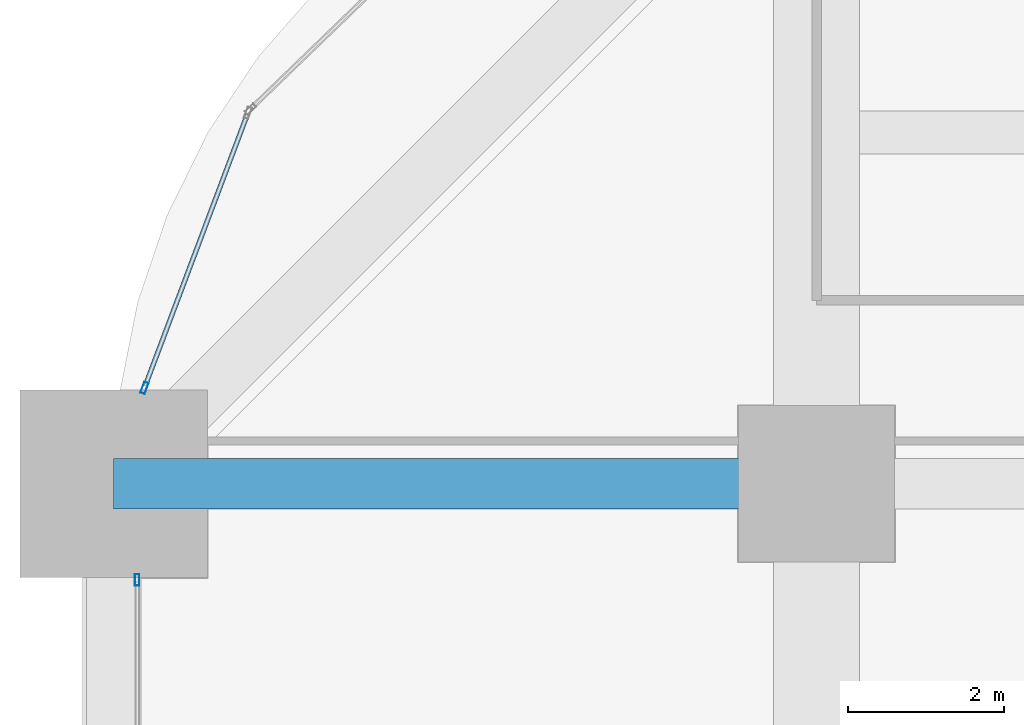
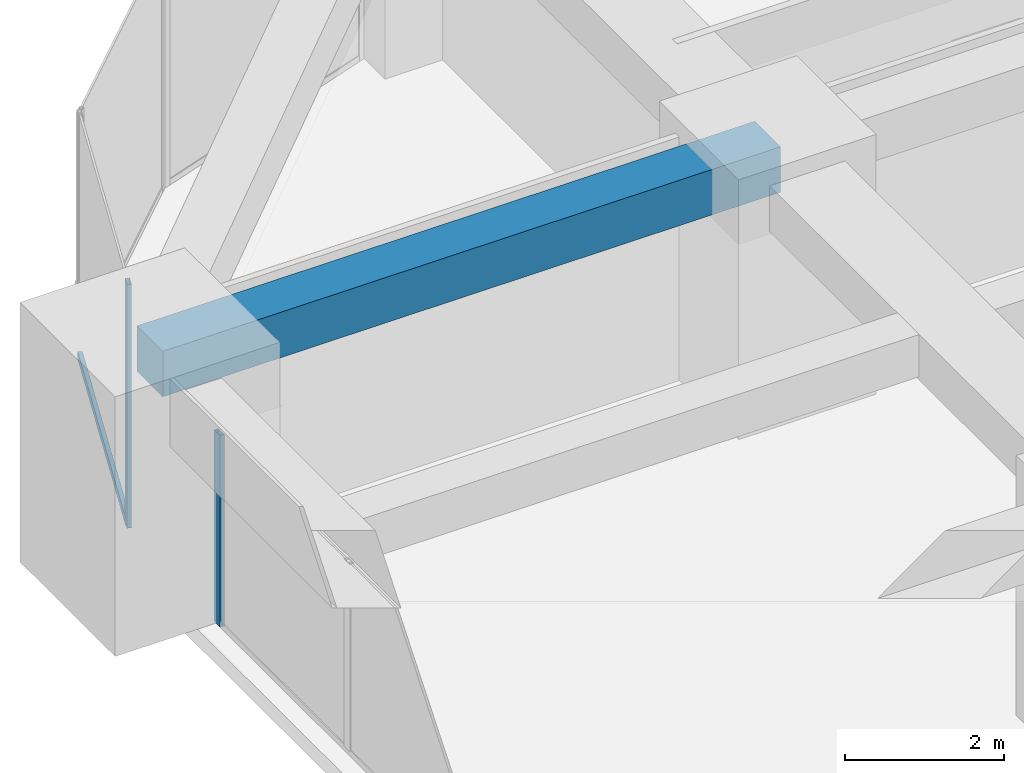
# One storey, part 24 of 41: 3 members, 1 beam, 2 elements without a shape of their own.
"""IFC4 building model written with IfcOpenShell, lengths in metres."""

import ifcopenshell
import ifcopenshell.guid

model = None  # the IFC model being written
_history = None  # IfcOwnerHistory: only IFC2X3 demands one
_inside = {}  # id of a spatial element -> (the spatial element, [elements in it])
_under = {}  # id of a project, library or spatial element -> (it, [spatial elements below it])
_declared = {}  # id of a project -> (the project, [libraries it declares])
_typed = {}  # id of a type object -> (the type object, [elements of that type])
_made_of = {}  # id of a material, layer set ... -> (it, [elements and type objects made of it])


def new_model(schema):
    """Start an empty IFC model of exactly this schema.

    Asked for "IFC4X3", IfcOpenShell would pick the latest addendum, in which some entities
    have other attributes; the version numbers below select the first issue.
    IFC2X3 requires an IfcOwnerHistory on every rooted entity: one is made here for all.
    """
    global model, _history
    if schema == "IFC4X3":
        model = ifcopenshell.file(schema_version=(4, 3, 0, 0))
    else:
        model = ifcopenshell.file(schema=schema)
    _inside.clear()
    _under.clear()
    _declared.clear()
    _typed.clear()
    _made_of.clear()
    _history = None
    if model.schema == "IFC2X3":
        org = make("IfcOrganization", Name="unknown")
        user = make(
            "IfcPersonAndOrganization",
            ThePerson=make("IfcPerson", FamilyName="unknown"),
            TheOrganization=org,
        )
        app = make(
            "IfcApplication",
            ApplicationDeveloper=org,
            Version="unknown",
            ApplicationFullName="unknown",
            ApplicationIdentifier="unknown",
        )
        _history = make(
            "IfcOwnerHistory",
            OwningUser=user,
            OwningApplication=app,
            ChangeAction="ADDED",
            CreationDate=0,
        )
    return model


def make(cls, **values):
    """One entity of the class cls with the attributes given. An attribute that is None is left unset."""
    return model.create_entity(
        cls, **{name: value for name, value in values.items() if value is not None}
    )


def rooted(cls, **values):
    """An entity with a GlobalId (a new one), such as an element, a storey or a relation."""
    return make(cls, GlobalId=ifcopenshell.guid.new(), OwnerHistory=_history, **values)


def si_unit(unit_type, name, prefix=None):
    """IfcSIUnit, for example si_unit("LENGTHUNIT", "METRE", prefix="MILLI")."""
    return make("IfcSIUnit", UnitType=unit_type, Prefix=prefix, Name=name)


def assignment(units):
    """IfcUnitAssignment: the units of a project."""
    return None if units is None else make("IfcUnitAssignment", Units=units)


def point(xyz):
    """IfcCartesianPoint."""
    return None if xyz is None else make("IfcCartesianPoint", Coordinates=xyz)


def direction(xyz):
    """IfcDirection."""
    return None if xyz is None else make("IfcDirection", DirectionRatios=xyz)


def frame(location, z_axis=None, x_axis=None):
    """IfcAxis2Placement3D, a coordinate frame: its origin and axes. An axis left out is left unset."""
    return make(
        "IfcAxis2Placement3D",
        Location=point(location),
        Axis=direction(z_axis),
        RefDirection=direction(x_axis),
    )


def frame_2d(location, x_axis=None):
    """IfcAxis2Placement2D, a coordinate frame in the plane: its origin and x axis."""
    return make(
        "IfcAxis2Placement2D", Location=point(location), RefDirection=direction(x_axis)
    )


def origin():
    """The frame at (0, 0, 0) with its axes left unset."""
    return frame((0.0, 0.0, 0.0))


def origin_2d():
    """The frame at (0, 0) in the plane with its x axis left unset."""
    return frame_2d((0.0, 0.0))


def place(relative_to, where):
    """IfcLocalPlacement: puts the frame where relative to a parent placement (None: the world)."""
    return make(
        "IfcLocalPlacement", PlacementRelTo=relative_to, RelativePlacement=where
    )


def context(
    kind, dimensions, precision=None, world=None, true_north=None, identifier=None
):
    """IfcGeometricRepresentationContext, for example the 3D "Model" context."""
    return make(
        "IfcGeometricRepresentationContext",
        ContextIdentifier=identifier,
        ContextType=kind,
        CoordinateSpaceDimension=dimensions,
        Precision=precision,
        WorldCoordinateSystem=world,
        TrueNorth=true_north,
    )


def subcontext(parent, identifier, kind, view, scale=None):
    """IfcGeometricRepresentationSubContext, for example "Body" below "Model"."""
    return make(
        "IfcGeometricRepresentationSubContext",
        ContextIdentifier=identifier,
        ContextType=kind,
        ParentContext=parent,
        TargetScale=scale,
        TargetView=view,
    )


def project(units=None, contexts=None):
    """IfcProject with its units and contexts."""
    return rooted(
        "IfcProject",
        Name="project",
        RepresentationContexts=contexts,
        UnitsInContext=assignment(units),
    )


def spatial(cls, under=None, at=None, **own):
    """A site, building, storey or space (cls), placed at a placement, below another one or the project."""
    s = rooted(cls, ObjectPlacement=at, **own)
    if under is not None:
        _under.setdefault(under.id(), (under, []))[1].append(s)
    return s


def profile(cls, at=None, kind="AREA", **sizes):
    """A parametric profile (cls). Its sizes go by their IFC names, for example OverallWidth=200.0."""
    return make(cls, ProfileType=kind, Position=at, **sizes)


def rectangle(**sizes):
    """IfcRectangleProfileDef."""
    return profile("IfcRectangleProfileDef", **sizes)


def hollow_rectangle(**sizes):
    """IfcRectangleHollowProfileDef."""
    return profile("IfcRectangleHollowProfileDef", **sizes)


def extrude(swept, where, along, depth):
    """IfcExtrudedAreaSolid: the profile swept, set in the frame where, extruded along a direction by depth."""
    return make(
        "IfcExtrudedAreaSolid",
        SweptArea=swept,
        Position=where,
        ExtrudedDirection=direction(along),
        Depth=depth,
    )


def shape(context_of_items, identifier, shape_type, items):
    """IfcShapeRepresentation: the items that make up one representation, for example the "Body"."""
    return make(
        "IfcShapeRepresentation",
        ContextOfItems=context_of_items,
        RepresentationIdentifier=identifier,
        RepresentationType=shape_type,
        Items=items,
    )


def material(Name=None, Category=None):
    """IfcMaterial."""
    return make("IfcMaterial", Name=Name, Category=Category)


def material_profile(
    of_material, cross_section, Name=None, Category=None, Priority=None
):
    """IfcMaterialProfile: a cross section and its material."""
    return make(
        "IfcMaterialProfile",
        Name=Name,
        Material=of_material,
        Profile=cross_section,
        Priority=Priority,
        Category=Category,
    )


def profile_set(profiles, Name=None, composite=None):
    """IfcMaterialProfileSet."""
    return make(
        "IfcMaterialProfileSet",
        Name=Name,
        MaterialProfiles=profiles,
        CompositeProfile=composite,
    )


def made_of(thing, what):
    """Note that an element or type object is made of a material, layer set ...; save() writes the relation."""
    if what is not None:
        _made_of.setdefault(what.id(), (what, []))[1].append(thing)
    return thing


def type_object(cls, material=None, **own):
    """A type object (cls), such as IfcWallType, which elements share."""
    return made_of(rooted(cls, **own), material)


def element(
    cls,
    number,
    at=None,
    inside=None,
    cuts=None,
    type_object=None,
    material=None,
    context=None,
    identifier="Body",
    shape_type=None,
    held_by="IfcProductDefinitionShape",
    body=None,
    shapes=None,
    **own,
):
    """One element of the class cls, such as IfcWall. Its Tag is "e" and its number.

    at: its placement. inside: the storey or other place that contains it. cuts: it is an
    opening in that element (IfcRelVoidsElement). A single representation is given by context,
    identifier, shape_type and body (its items); several are given by shapes. held_by: the class
    of the entity that holds the representations. save() writes the other relations.
    """
    e = rooted(cls, Tag="e%d" % number, ObjectPlacement=at, **own)
    if body is not None:
        shapes = [shape(context, identifier, shape_type, body)]
    if shapes is not None:
        e.Representation = make(held_by, Representations=shapes)
    if inside is not None:
        _inside.setdefault(inside.id(), (inside, []))[1].append(e)
    if cuts is not None:
        rooted(
            "IfcRelVoidsElement", RelatingBuildingElement=cuts, RelatedOpeningElement=e
        )
    if type_object is not None:
        _typed.setdefault(type_object.id(), (type_object, []))[1].append(e)
    return made_of(e, material)


def aggregate(whole, parts):
    """IfcRelAggregates: a whole, such as a stair, and the parts it consists of."""
    return rooted("IfcRelAggregates", RelatingObject=whole, RelatedObjects=parts)


def save(model, path):
    """Write the relations noted so far, then the file.

    IfcRelAggregates (storeys below a building ...), IfcRelContainedInSpatialStructure (elements
    in a storey), IfcRelDefinesByType, IfcRelAssociatesMaterial and IfcRelDeclares: one each for
    every whole, place, type object, material and project.
    """
    for whole, parts in _under.values():
        aggregate(whole, parts)
    for where, things in _inside.values():
        rooted(
            "IfcRelContainedInSpatialStructure",
            RelatedElements=things,
            RelatingStructure=where,
        )
    for kind, things in _typed.values():
        rooted("IfcRelDefinesByType", RelatedObjects=things, RelatingType=kind)
    for what, things in _made_of.values():
        rooted("IfcRelAssociatesMaterial", RelatedObjects=things, RelatingMaterial=what)
    for by, libraries in _declared.values():
        rooted("IfcRelDeclares", RelatingContext=by, RelatedDefinitions=libraries)
    model.write(path)


model = new_model("IFC4")

# Units and contexts
model_context = context("Model", 3, precision=1e-05, world=origin(), true_north=direction((0.0, 1.0)))
body_context = subcontext(model_context, "Body", "Model", "MODEL_VIEW")
ifc_project = project(units=[si_unit("LENGTHUNIT", "METRE"), si_unit("AREAUNIT", "SQUARE_METRE"), si_unit("VOLUMEUNIT", "CUBIC_METRE"), si_unit("PLANEANGLEUNIT", "RADIAN"), si_unit("MASSUNIT", "GRAM", prefix="KILO")], contexts=[model_context])

# Site, building, storey
site_placement = place(None, origin())
site = spatial("IfcSite", under=ifc_project, at=site_placement, CompositionType="ELEMENT")
building_placement = place(site_placement, origin())
building = spatial("IfcBuilding", under=site, at=building_placement, Name="Zorevar Civic Tower", CompositionType="ELEMENT")
storey_placement = place(building_placement, frame((0.0, 0.0, 101.0)))
storey = spatial("IfcBuildingStorey", under=building, at=storey_placement, Name="L24", CompositionType="ELEMENT", Elevation=101.0)

# Beam
ifc_material_1 = material(Name="Concrete C50/60", Category="concrete")
ifc_material_profile_1 = material_profile(ifc_material_1, rectangle(XDim=0.64990234375, YDim=0.699951171875, at=origin_2d()), Name="RC 650x700")
ifc_profile_set_1 = profile_set([ifc_material_profile_1], Name="Concrete C50/60")
beam_type = type_object("IfcBeamType", Name="Beam RC 650x700", PredefinedType="BEAM", material=ifc_profile_set_1)
beam_placement = place(storey_placement, frame((0.0, 36.0, 3.39990234375), z_axis=(1.0, 0.0, 0.0), x_axis=(0.0, 1.0, 0.0)))
element("IfcBeam", 1, at=beam_placement, inside=storey, type_object=beam_type, Name="Girder L25", PredefinedType="BEAM", context=body_context, shape_type="SweptSolid", body=[
    extrude(rectangle(XDim=0.64990234375, YDim=0.699951171875, at=origin_2d()), origin(), (0.0, 0.0, 1.0), 9.0),
])

# Curtain wall, member
ifc_material_2 = material(Name="Dark grey solar-control glass in black aluminium frame", Category="aluminium")
curtain_wall_type = type_object("IfcCurtainWallType", Name="Curtain wall CW3 mid zone", PredefinedType="NOTDEFINED", material=ifc_material_2)
curtain_wall_1_placement = place(storey_placement, origin())
curtain_wall_1 = element("IfcCurtainWall", 2, at=curtain_wall_1_placement, inside=storey, type_object=curtain_wall_type, Name="CW3 L24", PredefinedType="NOTDEFINED")
ifc_material_3 = material(Name="Aluminium, black anodised", Category="aluminium")
ifc_material_profile_2 = material_profile(ifc_material_3, hollow_rectangle(XDim=0.06005859375, YDim=0.14990234375, WallThickness=0.00390625, at=origin_2d()), Name="AL 150x60x4")
ifc_profile_set_2 = profile_set([ifc_material_profile_2], Name="Aluminium, black anodised")
member_type_1 = type_object("IfcMemberType", Name="CW3 mullion AL 150x60x4", PredefinedType="MULLION", material=ifc_profile_set_2)
member_1_placement = place(storey_placement, frame((0.300048828125, 34.77001953125, 0.0), z_axis=(0.0, 0.0, 1.0), x_axis=(-1.0, 0.0, 0.0)))
member_1 = element("IfcMember", 3, at=member_1_placement, type_object=member_type_1, Name="CW3 mullion 3", PredefinedType="MULLION", context=body_context, shape_type="SweptSolid", body=[
    extrude(hollow_rectangle(XDim=0.06005859375, YDim=0.14990234375, WallThickness=0.00390625, at=origin_2d()), origin(), (0.0, 0.0, 1.0), 2.949951171875),
])
aggregate(curtain_wall_1, [member_1])

# Curtain wall, members
curtain_wall_2_placement = place(storey_placement, origin())
curtain_wall_2 = element("IfcCurtainWall", 4, at=curtain_wall_2_placement, inside=storey, type_object=curtain_wall_type, Name="CW3 L24", PredefinedType="NOTDEFINED")
member_2_placement = place(storey_placement, frame((0.393798828125, 37.22802734375, 0.0), z_axis=(0.0, 0.0, 1.0), x_axis=(0.935950528564, -0.352131520999, 0.0)))
member_2 = element("IfcMember", 5, at=member_2_placement, type_object=member_type_1, Name="CW3 mullion 2", PredefinedType="MULLION", context=body_context, shape_type="SweptSolid", body=[
    extrude(hollow_rectangle(XDim=0.06005859375, YDim=0.14990234375, WallThickness=0.00390625, at=origin_2d()), origin(), (0.0, 0.0, 1.0), 3.75),
])
ifc_material_4 = material(Name="Aluminium, black anodised", Category="aluminium")
ifc_material_profile_3 = material_profile(ifc_material_4, hollow_rectangle(XDim=0.06005859375, YDim=0.1201171875, WallThickness=0.0029296875, at=origin_2d()), Name="AL 120x60x3")
ifc_profile_set_3 = profile_set([ifc_material_profile_3], Name="Aluminium, black anodised")
member_type_2 = type_object("IfcMemberType", Name="CW3 transom AL 120x60x3", PredefinedType="USERDEFINED", material=ifc_profile_set_3)
member_3_placement = place(storey_placement, frame((1.7080078125, 40.72119140625, 0.030029296875), z_axis=(-0.352142207579, -0.935946507895, 0.0), x_axis=(0.935946507895, -0.352142207579, 0.0)))
member_3 = element("IfcMember", 6, at=member_3_placement, type_object=member_type_2, Name="CW3 sill transom", ObjectType="TRANSOM", PredefinedType="USERDEFINED", context=body_context, shape_type="SweptSolid", body=[
    extrude(hollow_rectangle(XDim=0.06005859375, YDim=0.1201171875, WallThickness=0.0029296875, at=origin_2d()), origin(), (0.0, 0.0, 1.0), 3.7021484375),
])
aggregate(curtain_wall_2, [member_2, member_3])

save(model, "model.ifc")
